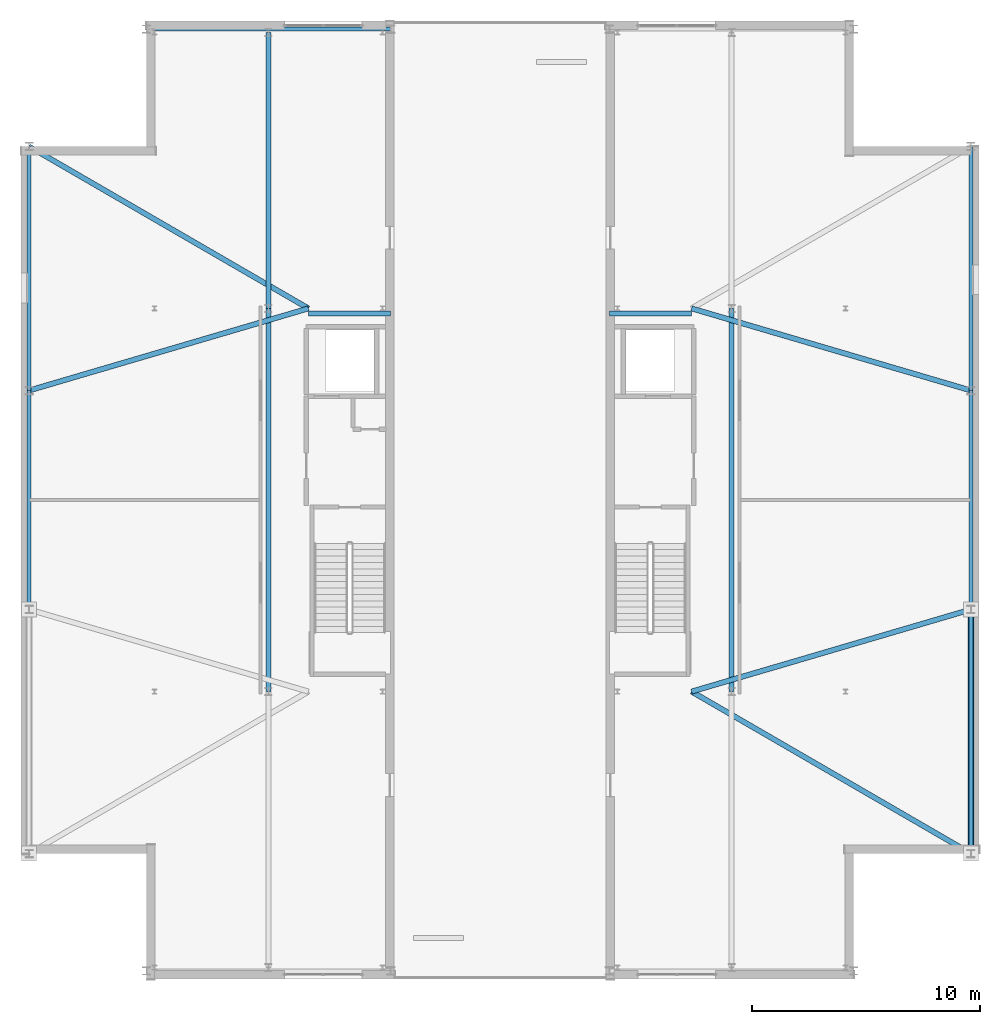
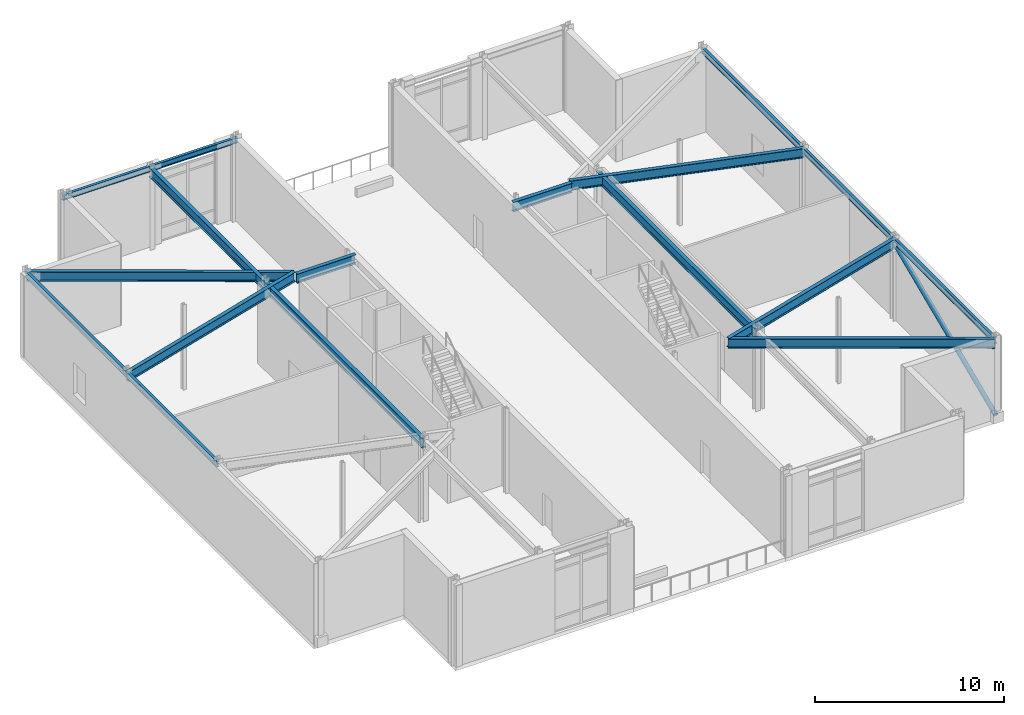
# One storey, part 9 of 16: 16 beams, 1 member.
"""IFC4 building model written with IfcOpenShell, lengths in metres."""

from ifc_helpers import new_model, si_unit, direction, frame, origin, origin_2d, place, context, subcontext, project, spatial, hollow_circle, i_section, extrude, material, material_profile, profile_set, type_object, element, save


model = new_model("IFC4")

# Units and contexts
model_context = context("Model", 3, precision=1e-05, world=origin(), true_north=direction((0.0, 1.0)))
body_context = subcontext(model_context, "Body", "Model", "MODEL_VIEW")
ifc_project = project(units=[si_unit("LENGTHUNIT", "METRE"), si_unit("AREAUNIT", "SQUARE_METRE"), si_unit("VOLUMEUNIT", "CUBIC_METRE"), si_unit("PLANEANGLEUNIT", "RADIAN"), si_unit("MASSUNIT", "GRAM", prefix="KILO")], contexts=[model_context])

# Site, building, storey
site_placement = place(None, origin())
site = spatial("IfcSite", under=ifc_project, at=site_placement, CompositionType="ELEMENT")
building_placement = place(site_placement, origin())
building = spatial("IfcBuilding", under=site, at=building_placement, Name="Cairnveth Concourse Tower", CompositionType="ELEMENT")
storey_placement = place(building_placement, frame((0.0, 0.0, 324.5)))
storey = spatial("IfcBuildingStorey", under=building, at=storey_placement, Name="L89", CompositionType="ELEMENT", Elevation=324.5)

# Beams
ifc_material_1 = material(Name="Steel Grade 350", Category="steel")
ifc_material_profile_1 = material_profile(ifc_material_1, i_section(OverallWidth=0.22802734375, OverallDepth=0.60693359375, WebThickness=0.01123046875, FlangeThickness=0.017333984375, FilletRadius=0.013916015625, at=origin_2d()), Name="610UB113")
ifc_profile_set_1 = profile_set([ifc_material_profile_1], Name="Steel Grade 350")
beam_type_1 = type_object("IfcBeamType", Name="CORE TIE BEAM 610UB113", PredefinedType="T_BEAM", material=ifc_profile_set_1)
for number, where, z_axis, x_axis, name in (
    (1, (43.60009765625, 47.179931640625, 4.946533203125), (1.0, 0.0, 0.0), (0.0, 1.0, 0.0), "Beam CT-N1 L89"),
    (2, (56.800048828125, 47.179931640625, 4.946533203125), (1.0, 0.0, 0.0), (0.0, 1.0, 0.0), "Beam CT-N3 L89"),
):
    element("IfcBeam", number, at=place(storey_placement, frame(where, z_axis=z_axis, x_axis=x_axis)), inside=storey, type_object=beam_type_1, Name=name, PredefinedType="T_BEAM", context=body_context, shape_type="SweptSolid", body=[
        extrude(i_section(OverallWidth=0.22802734375, OverallDepth=0.60693359375, WebThickness=0.01123046875, FlangeThickness=0.017333984375, FilletRadius=0.013916015625, at=origin_2d()), origin(), (0.0, 0.0, 1.0), 3.599853515625),
    ])

# Member
ifc_material_2 = material(Name="Steel C350L0 (350 MPa)", Category="steel")
ifc_material_profile_2 = material_profile(ifc_material_2, hollow_circle(Radius=0.136474609375, WallThickness=0.0126953125, at=origin_2d()), Name="273.1x12.7CHS")
ifc_profile_set_2 = profile_set([ifc_material_profile_2], Name="Steel C350L0 (350 MPa)")
member_type = type_object("IfcMemberType", Name="CROWN PORTAL STRUT 273.1X12.7CHS", PredefinedType="STRUT", material=ifc_profile_set_2)
member_placement = place(storey_placement, frame((72.64990234375, 23.5, 0.300048828125), z_axis=(0.0, 0.918704252821, 0.394946193611), x_axis=(-1.0, 0.0, 0.0)))
element("IfcMember", 3, at=member_placement, inside=storey, type_object=member_type, Name="Structural Brace CSR-E1 L89", PredefinedType="STRUT", context=body_context, shape_type="SweptSolid", body=[
    extrude(hollow_circle(Radius=0.136474609375, WallThickness=0.0126953125, at=origin_2d()), origin(), (0.0, 0.0, 1.0), 11.646728515625),
])

# Beams
ifc_material_profile_3 = material_profile(ifc_material_1, i_section(OverallWidth=0.22900390625, OverallDepth=0.612060546875, WebThickness=0.011962890625, FlangeThickness=0.01953125, FilletRadius=0.013916015625, at=origin_2d()), Name="610UB125")
ifc_profile_set_3 = profile_set([ifc_material_profile_3], Name="Steel Grade 350")
beam_type_2 = type_object("IfcBeamType", Name="ZONE 4 RADIAL GIRDER 610UB125", PredefinedType="BEAM", material=ifc_profile_set_3)
beam_1_placement = place(storey_placement, frame((31.35009765625, 43.800048828125, 4.944091796875), z_axis=(0.959430938842, 0.281943741893, 0.0), x_axis=(-0.281943741893, 0.959430938842, 0.0)))
element("IfcBeam", 4, at=beam_1_placement, inside=storey, type_object=beam_type_2, Name="Beam CB-W3 L89", PredefinedType="BEAM", context=body_context, shape_type="SweptSolid", body=[
    extrude(i_section(OverallWidth=0.22900390625, OverallDepth=0.612060546875, WebThickness=0.011962890625, FlangeThickness=0.01953125, FilletRadius=0.013916015625, at=origin_2d()), origin(), (0.0, 0.0, 1.0), 12.76806640625),
])
beam_2_placement = place(storey_placement, frame((31.35009765625, 54.5, 4.944091796875), z_axis=(0.86518141842, -0.501458984584, 0.0), x_axis=(0.501458984584, 0.86518141842, 0.0)))
element("IfcBeam", 5, at=beam_2_placement, inside=storey, type_object=beam_type_2, Name="Beam CB-W4 L89", PredefinedType="BEAM", context=body_context, shape_type="SweptSolid", body=[
    extrude(i_section(OverallWidth=0.22900390625, OverallDepth=0.612060546875, WebThickness=0.011962890625, FlangeThickness=0.01953125, FilletRadius=0.013916015625, at=origin_2d()), origin(), (0.0, 0.0, 1.0), 14.158935546875),
])
beam_3_placement = place(storey_placement, frame((41.85009765625, 30.60009765625, 4.944091796875), z_axis=(0.0, 1.0, 0.0), x_axis=(-1.0, 0.0, 0.0)))
element("IfcBeam", 6, at=beam_3_placement, inside=storey, type_object=beam_type_2, Name="Beam CB-WM2 L89", PredefinedType="BEAM", context=body_context, shape_type="SweptSolid", body=[
    extrude(i_section(OverallWidth=0.22900390625, OverallDepth=0.612060546875, WebThickness=0.011962890625, FlangeThickness=0.01953125, FilletRadius=0.013916015625, at=origin_2d()), origin(), (0.0, 0.0, 1.0), 16.7998046875),
])
beam_4_placement = place(storey_placement, frame((41.85009765625, 47.39990234375, 4.944091796875), z_axis=(0.0, 1.0, 0.0), x_axis=(-1.0, 0.0, 0.0)))
element("IfcBeam", 7, at=beam_4_placement, inside=storey, type_object=beam_type_2, Name="Beam CB-WM3 L89", PredefinedType="BEAM", context=body_context, shape_type="SweptSolid", body=[
    extrude(i_section(OverallWidth=0.22900390625, OverallDepth=0.612060546875, WebThickness=0.011962890625, FlangeThickness=0.01953125, FilletRadius=0.013916015625, at=origin_2d()), origin(), (0.0, 0.0, 1.0), 12.10009765625),
])
beam_5_placement = place(storey_placement, frame((60.39990234375, 30.60009765625, 4.944091796875), z_axis=(0.86518141842, -0.501458984584, 0.0), x_axis=(0.501458984584, 0.86518141842, 0.0)))
element("IfcBeam", 8, at=beam_5_placement, inside=storey, type_object=beam_type_2, Name="Beam CB-E1 L89", PredefinedType="BEAM", context=body_context, shape_type="SweptSolid", body=[
    extrude(i_section(OverallWidth=0.22900390625, OverallDepth=0.612060546875, WebThickness=0.011962890625, FlangeThickness=0.01953125, FilletRadius=0.013916015625, at=origin_2d()), origin(), (0.0, 0.0, 1.0), 14.158935546875),
])
for number, where, z_axis, x_axis, name in (
    (9, (60.39990234375, 30.60009765625, 4.944091796875), (0.959430938842, 0.281943741893, 0.0), (-0.281943741893, 0.959430938842, 0.0), "Beam CB-E2 L89"),
    (10, (60.39990234375, 47.39990234375, 4.944091796875), (0.959430938842, -0.281943741893, 0.0), (0.281943741893, 0.959430938842, 0.0), "Beam CB-E3 L89"),
):
    element("IfcBeam", number, at=place(storey_placement, frame(where, z_axis=z_axis, x_axis=x_axis)), inside=storey, type_object=beam_type_2, Name=name, PredefinedType="BEAM", context=body_context, shape_type="SweptSolid", body=[
        extrude(i_section(OverallWidth=0.22900390625, OverallDepth=0.612060546875, WebThickness=0.011962890625, FlangeThickness=0.01953125, FilletRadius=0.013916015625, at=origin_2d()), origin(), (0.0, 0.0, 1.0), 12.76806640625),
    ])
beam_6_placement = place(storey_placement, frame((62.14990234375, 30.60009765625, 4.944091796875), z_axis=(0.0, 1.0, 0.0), x_axis=(-1.0, 0.0, 0.0)))
element("IfcBeam", 11, at=beam_6_placement, inside=storey, type_object=beam_type_2, Name="Beam CB-EM2 L89", PredefinedType="BEAM", context=body_context, shape_type="SweptSolid", body=[
    extrude(i_section(OverallWidth=0.22900390625, OverallDepth=0.612060546875, WebThickness=0.011962890625, FlangeThickness=0.01953125, FilletRadius=0.013916015625, at=origin_2d()), origin(), (0.0, 0.0, 1.0), 16.7998046875),
])
ifc_material_profile_4 = material_profile(ifc_material_1, i_section(OverallWidth=0.172119140625, OverallDepth=0.35888671875, WebThickness=0.008056640625, FlangeThickness=0.012939453125, FilletRadius=0.010986328125, at=origin_2d()), Name="360UB56.7")
ifc_profile_set_4 = profile_set([ifc_material_profile_4], Name="Steel Grade 350")
beam_type_3 = type_object("IfcBeamType", Name="ZONE 4 SPANDREL BEAM 360UB56.7", PredefinedType="SPANDREL", material=ifc_profile_set_4)
beam_7_placement = place(storey_placement, frame((36.5, 59.64990234375, 5.070556640625), z_axis=(1.0, 0.0, 0.0), x_axis=(0.0, 1.0, 0.0)))
element("IfcBeam", 12, at=beam_7_placement, inside=storey, type_object=beam_type_3, Name="Beam CSP-WN L89", PredefinedType="SPANDREL", context=body_context, shape_type="SweptSolid", body=[
    extrude(i_section(OverallWidth=0.172119140625, OverallDepth=0.35888671875, WebThickness=0.008056640625, FlangeThickness=0.012939453125, FilletRadius=0.010986328125, at=origin_2d()), origin(), (0.0, 0.0, 1.0), 10.699951171875),
])
beam_8_placement = place(storey_placement, frame((31.35009765625, 34.199951171875, 5.070556640625), z_axis=(0.0, 1.0, 0.0), x_axis=(-1.0, 0.0, 0.0)))
element("IfcBeam", 13, at=beam_8_placement, inside=storey, type_object=beam_type_3, Name="Beam CSP-WW2 L89", PredefinedType="SPANDREL", context=body_context, shape_type="SweptSolid", body=[
    extrude(i_section(OverallWidth=0.172119140625, OverallDepth=0.35888671875, WebThickness=0.008056640625, FlangeThickness=0.012939453125, FilletRadius=0.010986328125, at=origin_2d()), origin(), (0.0, 0.0, 1.0), 9.60009765625),
])
for number, where, z_axis, x_axis, name in (
    (14, (31.35009765625, 43.800048828125, 5.070556640625), (0.0, 1.0, 0.0), (-1.0, 0.0, 0.0), "Beam CSP-WW3 L89"),
    (15, (72.64990234375, 23.5, 5.070556640625), (0.0, 1.0, 0.0), (-1.0, 0.0, 0.0), "Beam CSP-EE1 L89"),
):
    element("IfcBeam", number, at=place(storey_placement, frame(where, z_axis=z_axis, x_axis=x_axis)), inside=storey, type_object=beam_type_3, Name=name, PredefinedType="SPANDREL", context=body_context, shape_type="SweptSolid", body=[
        extrude(i_section(OverallWidth=0.172119140625, OverallDepth=0.35888671875, WebThickness=0.008056640625, FlangeThickness=0.012939453125, FilletRadius=0.010986328125, at=origin_2d()), origin(), (0.0, 0.0, 1.0), 10.699951171875),
    ])
beam_9_placement = place(storey_placement, frame((72.64990234375, 34.199951171875, 5.070556640625), z_axis=(0.0, 1.0, 0.0), x_axis=(-1.0, 0.0, 0.0)))
element("IfcBeam", 16, at=beam_9_placement, inside=storey, type_object=beam_type_3, Name="Beam CSP-EE2 L89", PredefinedType="SPANDREL", context=body_context, shape_type="SweptSolid", body=[
    extrude(i_section(OverallWidth=0.172119140625, OverallDepth=0.35888671875, WebThickness=0.008056640625, FlangeThickness=0.012939453125, FilletRadius=0.010986328125, at=origin_2d()), origin(), (0.0, 0.0, 1.0), 9.60009765625),
])
beam_10_placement = place(storey_placement, frame((72.64990234375, 43.800048828125, 5.070556640625), z_axis=(0.0, 1.0, 0.0), x_axis=(-1.0, 0.0, 0.0)))
element("IfcBeam", 17, at=beam_10_placement, inside=storey, type_object=beam_type_3, Name="Beam CSP-EE3 L89", PredefinedType="SPANDREL", context=body_context, shape_type="SweptSolid", body=[
    extrude(i_section(OverallWidth=0.172119140625, OverallDepth=0.35888671875, WebThickness=0.008056640625, FlangeThickness=0.012939453125, FilletRadius=0.010986328125, at=origin_2d()), origin(), (0.0, 0.0, 1.0), 10.699951171875),
])

save(model, "model.ifc")
